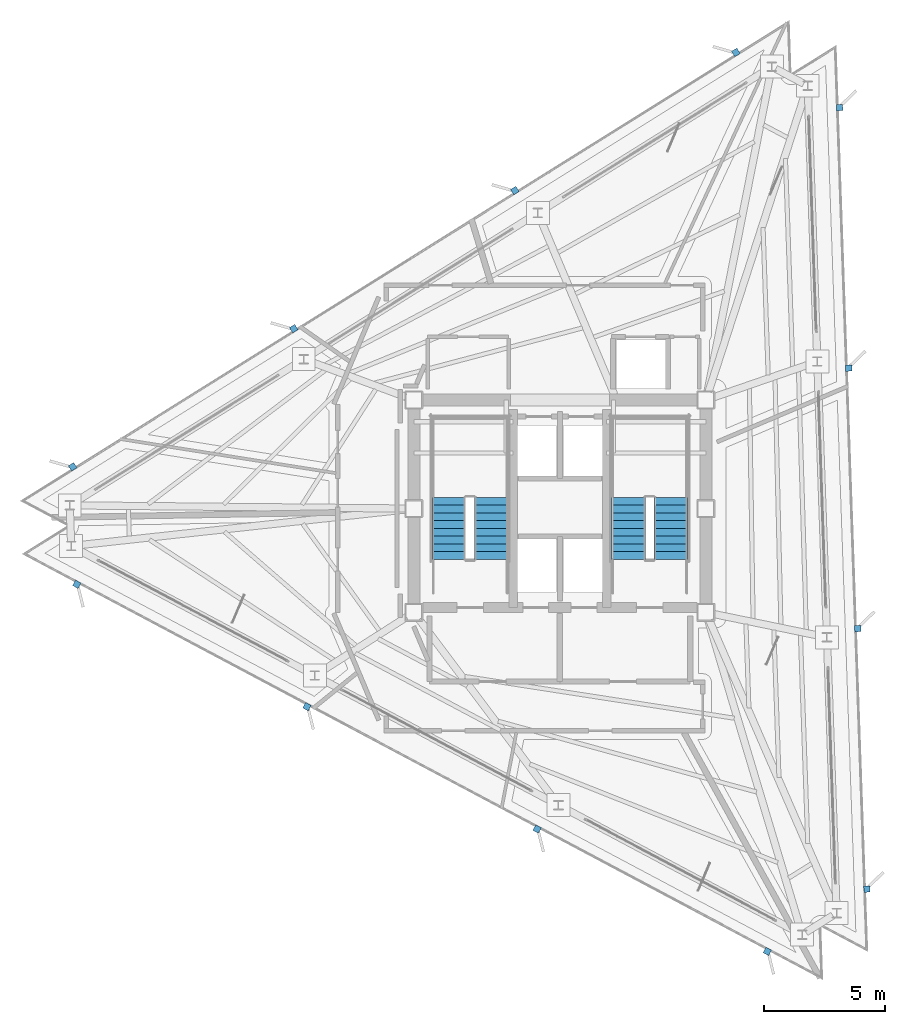
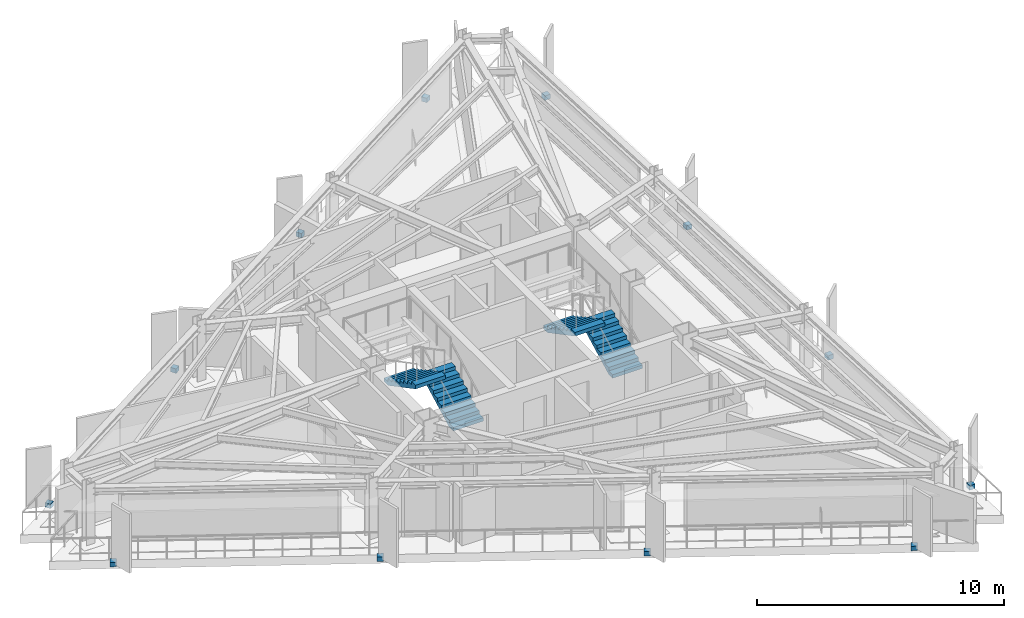
# One storey, part 10 of 13: 12 discrete accessories, 4 stair flights, 2 elements without a shape of their own.
"""IFC4 building model written with IfcOpenShell, lengths in metres."""

from ifc_helpers import new_model, si_unit, direction, frame, origin, origin_2d, place, context, subcontext, project, spatial, polyline, rectangle, outline, extrude, material, layer, layer_set, type_object, element, aggregate, save


model = new_model("IFC4")

# Units and contexts
model_context = context("Model", 3, precision=1e-05, world=origin(), true_north=direction((0.0, 1.0)))
body_context = subcontext(model_context, "Body", "Model", "MODEL_VIEW")
ifc_project = project(units=[si_unit("LENGTHUNIT", "METRE"), si_unit("AREAUNIT", "SQUARE_METRE"), si_unit("VOLUMEUNIT", "CUBIC_METRE"), si_unit("PLANEANGLEUNIT", "RADIAN"), si_unit("MASSUNIT", "GRAM", prefix="KILO")], contexts=[model_context])

# Site, building, storey
site_placement = place(None, origin())
site = spatial("IfcSite", under=ifc_project, at=site_placement, CompositionType="ELEMENT")
building_placement = place(site_placement, origin())
building = spatial("IfcBuilding", under=site, at=building_placement, Name="Rocaltana Carrier Exchange", CompositionType="ELEMENT")
storey_placement = place(building_placement, frame((0.0, 0.0, 193.60009765625)))
storey = spatial("IfcBuildingStorey", under=building, at=storey_placement, Name="L61", CompositionType="ELEMENT", Elevation=193.60009765625)

# Stair, stair flights
ifc_material_1 = material(Name="Precast concrete C45/55", Category="concrete")
stair_type = type_object("IfcStairType", Name="Standard Dog-Leg Stair 160", PredefinedType="HALF_TURN_STAIR", material=ifc_material_1)
stair_1_placement = place(storey_placement, origin())
stair_1 = element("IfcStair", 1, at=stair_1_placement, inside=storey, type_object=stair_type, Name="L61 Core West Exit Stair ST-1", PredefinedType="HALF_TURN_STAIR")
ifc_material_2 = material(Name="Precast concrete C45/55", Category="concrete")
stair_flight_type = type_object("IfcStairFlightType", Name="Precast Stair Flight 160", PredefinedType="STRAIGHT", material=ifc_material_2)
stair_flight_1_placement = place(storey_placement, frame((-2.840087890625, -2.10009765625, 0.0), z_axis=(0.0, 0.0, 1.0), x_axis=(0.0, 1.0, 0.0)))
stair_flight_1 = element("IfcStairFlight", 2, at=stair_flight_1_placement, type_object=stair_flight_type, Name="ST-1 flight 1", NumberOfRisers=9, NumberOfTreads=8, PredefinedType="STRAIGHT", RiserHeight=0.168888889, TreadLength=0.32, context=body_context, shape_type="SweptSolid", body=[
    extrude(outline(polyline([(0.0, 0.0), (0.0, 0.1689453125), (0.320068359375, 0.1689453125), (0.320068359375, 0.337890625), (0.639892578125, 0.337890625), (0.639892578125, 0.506591796875), (0.9599609375, 0.506591796875), (0.9599609375, 0.675537109375), (1.280029296875, 0.675537109375), (1.280029296875, 0.844482421875), (1.60009765625, 0.844482421875), (1.60009765625, 1.013427734375), (1.919921875, 1.013427734375), (1.919921875, 1.18212890625), (2.239990234375, 1.18212890625), (2.239990234375, 1.35107421875), (2.56005859375, 1.35107421875), (2.56005859375, 1.52001953125), (2.56005859375, 1.17041015625), (0.342529296875, 0.0), (0.0, 0.0)])), frame((0.0, 0.699951171875, 0.0), z_axis=(0.0, -1.0, 0.0), x_axis=(1.0, 0.0, 0.0)), (0.0, 0.0, 1.0), 1.39990234375),
])
stair_flight_2_placement = place(storey_placement, frame((-4.60009765625, 0.4599609375, 1.52001953125), z_axis=(0.0, 0.0, 1.0), x_axis=(0.0, -1.0, 0.0)))
stair_flight_2 = element("IfcStairFlight", 3, at=stair_flight_2_placement, type_object=stair_flight_type, Name="ST-1 flight 2", NumberOfRisers=9, NumberOfTreads=8, PredefinedType="STRAIGHT", RiserHeight=0.168888889, TreadLength=0.32, context=body_context, shape_type="SweptSolid", body=[
    extrude(outline(polyline([(0.0, 0.0), (0.0, 0.1689453125), (0.320068359375, 0.1689453125), (0.320068359375, 0.337890625), (0.639892578125, 0.337890625), (0.639892578125, 0.506591796875), (0.9599609375, 0.506591796875), (0.9599609375, 0.675537109375), (1.280029296875, 0.675537109375), (1.280029296875, 0.844482421875), (1.60009765625, 0.844482421875), (1.60009765625, 1.013427734375), (1.919921875, 1.013427734375), (1.919921875, 1.18212890625), (2.239990234375, 1.18212890625), (2.239990234375, 1.35107421875), (2.56005859375, 1.35107421875), (2.56005859375, 1.52001953125), (2.56005859375, 1.17041015625), (0.342529296875, 0.0), (0.0, 0.0)])), frame((0.0, 0.699951171875, 0.0), z_axis=(0.0, -1.0, 0.0), x_axis=(1.0, 0.0, 0.0)), (0.0, 0.0, 1.0), 1.39990234375),
])
aggregate(stair_1, [stair_flight_1, stair_flight_2])

stair_2_placement = place(storey_placement, origin())
stair_2 = element("IfcStair", 4, at=stair_2_placement, inside=storey, type_object=stair_type, Name="L61 Core East Exit Stair ST-2", PredefinedType="HALF_TURN_STAIR")
stair_flight_3_placement = place(storey_placement, frame((4.60009765625, -2.10009765625, 0.0), z_axis=(0.0, 0.0, 1.0), x_axis=(0.0, 1.0, 0.0)))
stair_flight_3 = element("IfcStairFlight", 5, at=stair_flight_3_placement, type_object=stair_flight_type, Name="ST-2 flight 1", NumberOfRisers=9, NumberOfTreads=8, PredefinedType="STRAIGHT", RiserHeight=0.168888889, TreadLength=0.32, context=body_context, shape_type="SweptSolid", body=[
    extrude(outline(polyline([(0.0, 0.0), (0.0, 0.1689453125), (0.320068359375, 0.1689453125), (0.320068359375, 0.337890625), (0.639892578125, 0.337890625), (0.639892578125, 0.506591796875), (0.9599609375, 0.506591796875), (0.9599609375, 0.675537109375), (1.280029296875, 0.675537109375), (1.280029296875, 0.844482421875), (1.60009765625, 0.844482421875), (1.60009765625, 1.013427734375), (1.919921875, 1.013427734375), (1.919921875, 1.18212890625), (2.239990234375, 1.18212890625), (2.239990234375, 1.35107421875), (2.56005859375, 1.35107421875), (2.56005859375, 1.52001953125), (2.56005859375, 1.17041015625), (0.342529296875, 0.0), (0.0, 0.0)])), frame((0.0, 0.699951171875, 0.0), z_axis=(0.0, -1.0, 0.0), x_axis=(1.0, 0.0, 0.0)), (0.0, 0.0, 1.0), 1.39990234375),
])
stair_flight_4_placement = place(storey_placement, frame((2.840087890625, 0.4599609375, 1.52001953125), z_axis=(0.0, 0.0, 1.0), x_axis=(0.0, -1.0, 0.0)))
stair_flight_4 = element("IfcStairFlight", 6, at=stair_flight_4_placement, type_object=stair_flight_type, Name="ST-2 flight 2", NumberOfRisers=9, NumberOfTreads=8, PredefinedType="STRAIGHT", RiserHeight=0.168888889, TreadLength=0.32, context=body_context, shape_type="SweptSolid", body=[
    extrude(outline(polyline([(0.0, 0.0), (0.0, 0.1689453125), (0.320068359375, 0.1689453125), (0.320068359375, 0.337890625), (0.639892578125, 0.337890625), (0.639892578125, 0.506591796875), (0.9599609375, 0.506591796875), (0.9599609375, 0.675537109375), (1.280029296875, 0.675537109375), (1.280029296875, 0.844482421875), (1.60009765625, 0.844482421875), (1.60009765625, 1.013427734375), (1.919921875, 1.013427734375), (1.919921875, 1.18212890625), (2.239990234375, 1.18212890625), (2.239990234375, 1.35107421875), (2.56005859375, 1.35107421875), (2.56005859375, 1.52001953125), (2.56005859375, 1.17041015625), (0.342529296875, 0.0), (0.0, 0.0)])), frame((0.0, 0.699951171875, 0.0), z_axis=(0.0, -1.0, 0.0), x_axis=(1.0, 0.0, 0.0)), (0.0, 0.0, 1.0), 1.39990234375),
])
aggregate(stair_2, [stair_flight_3, stair_flight_4])

# Discrete accessories
ifc_material_3 = material(Name="Brushed Architectural Stainless Metal", Category="steel")
ifc_layer = layer(ifc_material_3, 0.219970703125)
ifc_layer_set = layer_set([ifc_layer], Name="Brushed Architectural Stainless Metal")
discrete_accessory_type = type_object("IfcDiscreteAccessoryType", Name="Stainless Fin Slab-Edge Bracket 260x260x220", PredefinedType="BRACKET", material=ifc_layer_set)
for number, where, z_axis, x_axis, name in (
    (7, (12.722412109375, -15.765625, -0.2099609375), (0.0, 0.0, 1.0), (-0.034899496703, 0.999390827019, 0.0), "L61 Sandstone Fin Edge Bracket F1-01"),
    (8, (12.345458984375, -4.97216796875, -0.2099609375), (0.0, 0.0, 1.0), (-0.034899496703, 0.999390827019, 0.0), "L61 Sandstone Fin Edge Bracket F1-02"),
    (9, (11.968505859375, 5.8212890625, -0.2099609375), (0.0, 0.0, 1.0), (-0.034899496703, 0.999390827019, 0.0), "L61 Sandstone Fin Edge Bracket F1-03"),
    (10, (11.591552734375, 16.61474609375, -0.2099609375), (0.0, 0.0, 1.0), (-0.034899496703, 0.999390827019, 0.0), "L61 Sandstone Fin Edge Bracket F1-04"),
    (11, (7.292236328125, 18.900634765625, -0.2099609375), (0.0, 0.0, 1.0), (-0.848048096156, -0.529919264233, 0.0), "L61 Sandstone Fin Edge Bracket F2-01"),
    (12, (-1.86669921875, 13.177490234375, -0.2099609375), (0.0, 0.0, 1.0), (-0.848048096156, -0.529919264233, 0.0), "L61 Sandstone Fin Edge Bracket F2-02"),
    (13, (-11.025634765625, 7.454345703125, -0.2099609375), (0.0, 0.0, 1.0), (-0.848048096156, -0.529919264233, 0.0), "L61 Sandstone Fin Edge Bracket F2-03"),
    (14, (-20.1845703125, 1.731201171875, -0.2099609375), (0.0, 0.0, 1.0), (-0.848048096156, -0.529919264233, 0.0), "L61 Sandstone Fin Edge Bracket F2-04"),
    (15, (-20.0146484375, -3.135009765625, -0.2099609375), (0.0, 0.0, 1.0), (0.882947592859, -0.469471562786, 0.0), "L61 Sandstone Fin Edge Bracket F3-01"),
    (16, (-10.478759765625, -8.205322265625, -0.2099609375), (0.0, 0.0, 1.0), (0.882947592859, -0.469471562786, 0.0), "L61 Sandstone Fin Edge Bracket F3-02"),
    (17, (-0.94287109375, -13.275634765625, -0.2099609375), (0.0, 0.0, 1.0), (0.882947592859, -0.469471562786, 0.0), "L61 Sandstone Fin Edge Bracket F3-03"),
    (18, (8.593017578125, -18.345947265625, -0.2099609375), (0.0, 0.0, 1.0), (0.882947592859, -0.469471562786, 0.0), "L61 Sandstone Fin Edge Bracket F3-04"),
):
    element("IfcDiscreteAccessory", number, at=place(storey_placement, frame(where, z_axis=z_axis, x_axis=x_axis)), inside=storey, type_object=discrete_accessory_type, Name=name, PredefinedType="BRACKET", context=body_context, shape_type="SweptSolid", body=[
        extrude(rectangle(XDim=0.260009765625, YDim=0.260009765625, at=origin_2d()), origin(), (0.0, 0.0, 1.0), 0.219970703125),
    ])

save(model, "model.ifc")
